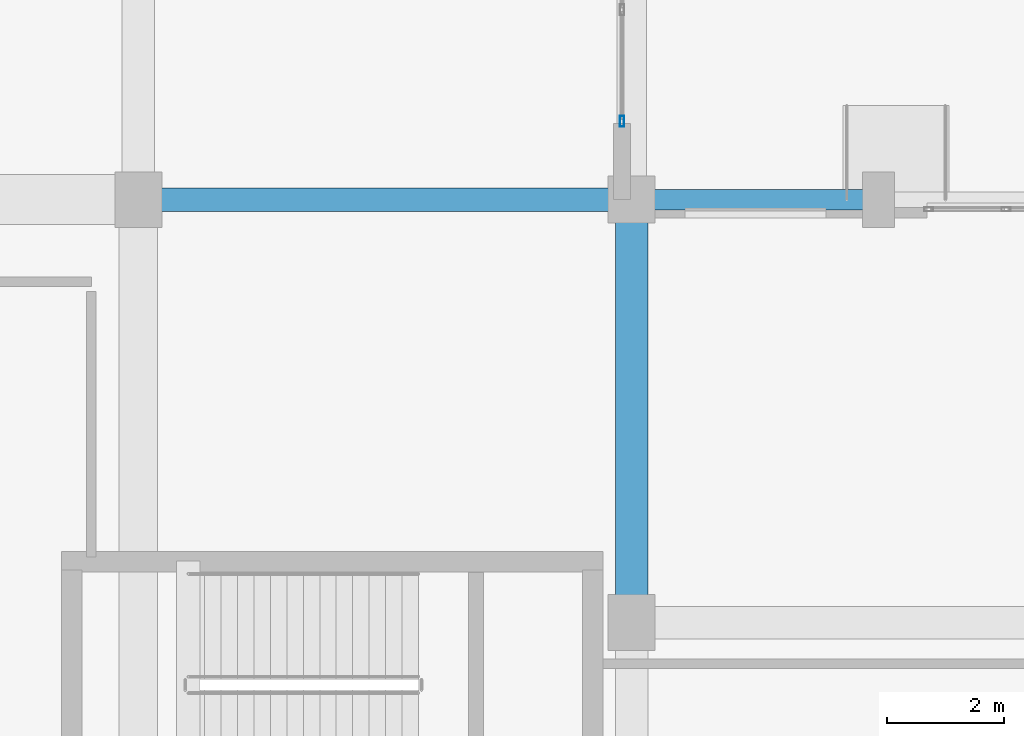
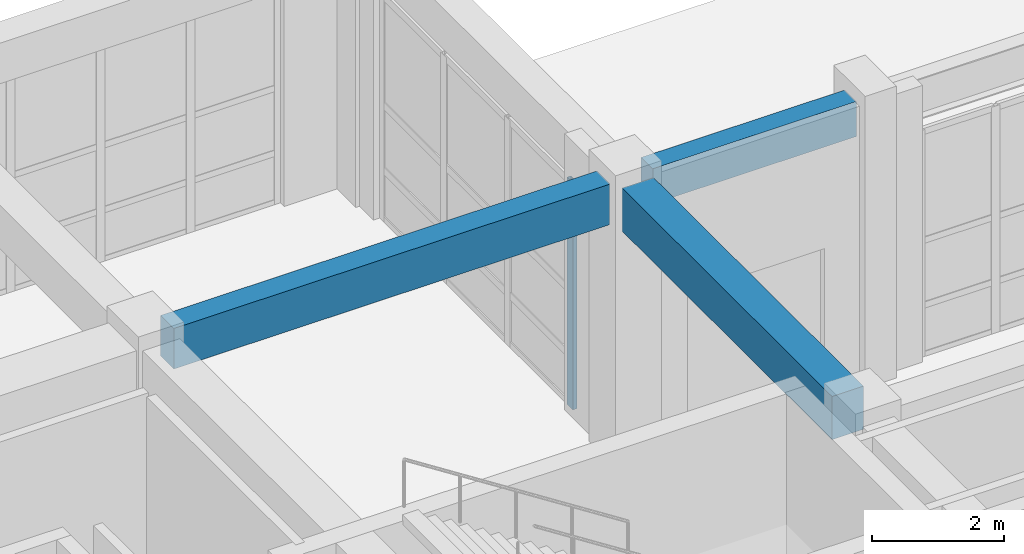
# One storey, part 85 of 148: 3 beams, 1 member, 1 element without a shape of its own.
"""IFC4 building model written with IfcOpenShell, lengths in metres."""

from ifc_helpers import new_model, si_unit, direction, frame, origin, origin_2d, place, context, subcontext, project, spatial, rectangle, hollow_rectangle, extrude, material, layer, layer_set, material_profile, profile_set, type_object, element, aggregate, save


model = new_model("IFC4")

# Units and contexts
model_context = context("Model", 3, precision=1e-05, world=origin(), true_north=direction((0.0, 1.0)))
body_context = subcontext(model_context, "Body", "Model", "MODEL_VIEW")
ifc_project = project(units=[si_unit("LENGTHUNIT", "METRE"), si_unit("AREAUNIT", "SQUARE_METRE"), si_unit("VOLUMEUNIT", "CUBIC_METRE"), si_unit("PLANEANGLEUNIT", "RADIAN"), si_unit("MASSUNIT", "GRAM", prefix="KILO")], contexts=[model_context])

# Site, building, storey
site_placement = place(None, origin())
site = spatial("IfcSite", under=ifc_project, at=site_placement, CompositionType="ELEMENT")
building_placement = place(site_placement, origin())
building = spatial("IfcBuilding", under=site, at=building_placement, Name="Quendrovan Civic Courthouse", CompositionType="ELEMENT")
storey_placement = place(building_placement, origin())
storey = spatial("IfcBuildingStorey", under=building, at=storey_placement, Name="L01", CompositionType="ELEMENT", Elevation=0.0)

# Beams
ifc_material_1 = material(Name="Concrete C40/50", Category="concrete")
ifc_material_profile_1 = material_profile(ifc_material_1, rectangle(XDim=0.35009765625, YDim=0.64990234375, at=origin_2d()), Name="RC-BM-350x650")
ifc_profile_set_1 = profile_set([ifc_material_profile_1], Name="Concrete C40/50")
beam_type_1 = type_object("IfcBeamType", Name="BM-RC650B", PredefinedType="BEAM", material=ifc_profile_set_1)
beam_1_placement = place(storey_placement, frame((92.780029296875, 102.0, 4.794921875), z_axis=(1.0, 0.0, 0.0), x_axis=(0.0, 1.0, 0.0)))
element("IfcBeam", 1, at=beam_1_placement, inside=storey, type_object=beam_type_1, Name="L01 Girder X0345", PredefinedType="BEAM", context=body_context, shape_type="SweptSolid", body=[
    extrude(rectangle(XDim=0.35009765625, YDim=0.64990234375, at=origin_2d()), origin(), (0.0, 0.0, 1.0), 3.56494140625),
])
ifc_material_profile_2 = material_profile(ifc_material_1, rectangle(XDim=0.39990234375, YDim=0.75, at=origin_2d()), Name="RC-BM-400x750")
ifc_profile_set_2 = profile_set([ifc_material_profile_2], Name="Concrete C40/50")
beam_type_2 = type_object("IfcBeamType", Name="BM-RC750B", PredefinedType="BEAM", material=ifc_profile_set_2)
beam_2_placement = place(storey_placement, frame((84.3798828125, 102.0, 4.7451171875), z_axis=(1.0, 0.0, 0.0), x_axis=(0.0, 1.0, 0.0)))
element("IfcBeam", 2, at=beam_2_placement, inside=storey, type_object=beam_type_2, Name="L01 Girder X0344", PredefinedType="BEAM", context=body_context, shape_type="SweptSolid", body=[
    extrude(rectangle(XDim=0.39990234375, YDim=0.75, at=origin_2d()), origin(), (0.0, 0.0, 1.0), 7.64013671875),
])
ifc_material_profile_3 = material_profile(ifc_material_1, rectangle(XDim=0.550048828125, YDim=0.800048828125, at=origin_2d()), Name="RC-BM-550x800")
ifc_profile_set_3 = profile_set([ifc_material_profile_3], Name="Concrete C40/50")
beam_type_3 = type_object("IfcBeamType", Name="BM-RC800", PredefinedType="BEAM", material=ifc_profile_set_3)
beam_3_placement = place(storey_placement, frame((92.39990234375, 95.2548828125, 4.719970703125), z_axis=(0.0, 1.0, 0.0), x_axis=(-1.0, 0.0, 0.0)))
element("IfcBeam", 3, at=beam_3_placement, inside=storey, type_object=beam_type_3, Name="L01 Girder Y0447", PredefinedType="BEAM", context=body_context, shape_type="SweptSolid", body=[
    extrude(rectangle(XDim=0.550048828125, YDim=0.800048828125, at=origin_2d()), origin(), (0.0, 0.0, 1.0), 6.365234375),
])

# Curtain wall, member
ifc_material_2 = material(Name="Bronze anodised aluminium and low-E glass", Category="aluminium")
ifc_layer = layer(ifc_material_2, 0.179931640625, Name="Bronze anodised aluminium and low-E glass")
ifc_layer_set = layer_set([ifc_layer], Name="Bronze anodised aluminium and low-E glass")
curtain_wall_type = type_object("IfcCurtainWallType", Name="CW-U58x42", PredefinedType="USERDEFINED", material=ifc_layer_set)
curtain_wall_placement = place(storey_placement, origin())
curtain_wall = element("IfcCurtainWall", 4, at=curtain_wall_placement, inside=storey, type_object=curtain_wall_type, Name="L01 Unitised Hurricane Curtain Wall CW-032", ObjectType="UNITISED CURTAIN WALL", PredefinedType="USERDEFINED")
ifc_material_3 = material(Name="Bronze anodised aluminium", Category="aluminium")
ifc_material_profile_4 = material_profile(ifc_material_3, hollow_rectangle(XDim=0.070068359375, YDim=0.179931640625, WallThickness=0.00390625, at=origin_2d()), Name="CW-MULL-70x180")
ifc_profile_set_4 = profile_set([ifc_material_profile_4], Name="Bronze anodised aluminium")
member_type = type_object("IfcMemberType", Name="CW-MULL-A", PredefinedType="MULLION", material=ifc_profile_set_4)
member_placement = place(storey_placement, frame((92.235107421875, 103.3349609375, 0.0), z_axis=(0.0, 0.0, 1.0), x_axis=(1.0, 0.0, 0.0)))
member = element("IfcMember", 5, at=member_placement, type_object=member_type, Name="CW-032 mullion 4", PredefinedType="MULLION", context=body_context, shape_type="SweptSolid", body=[
    extrude(hollow_rectangle(XDim=0.070068359375, YDim=0.179931640625, WallThickness=0.00390625, at=origin_2d()), origin(), (0.0, 0.0, 1.0), 4.199951171875),
])
aggregate(curtain_wall, [member])

save(model, "model.ifc")
